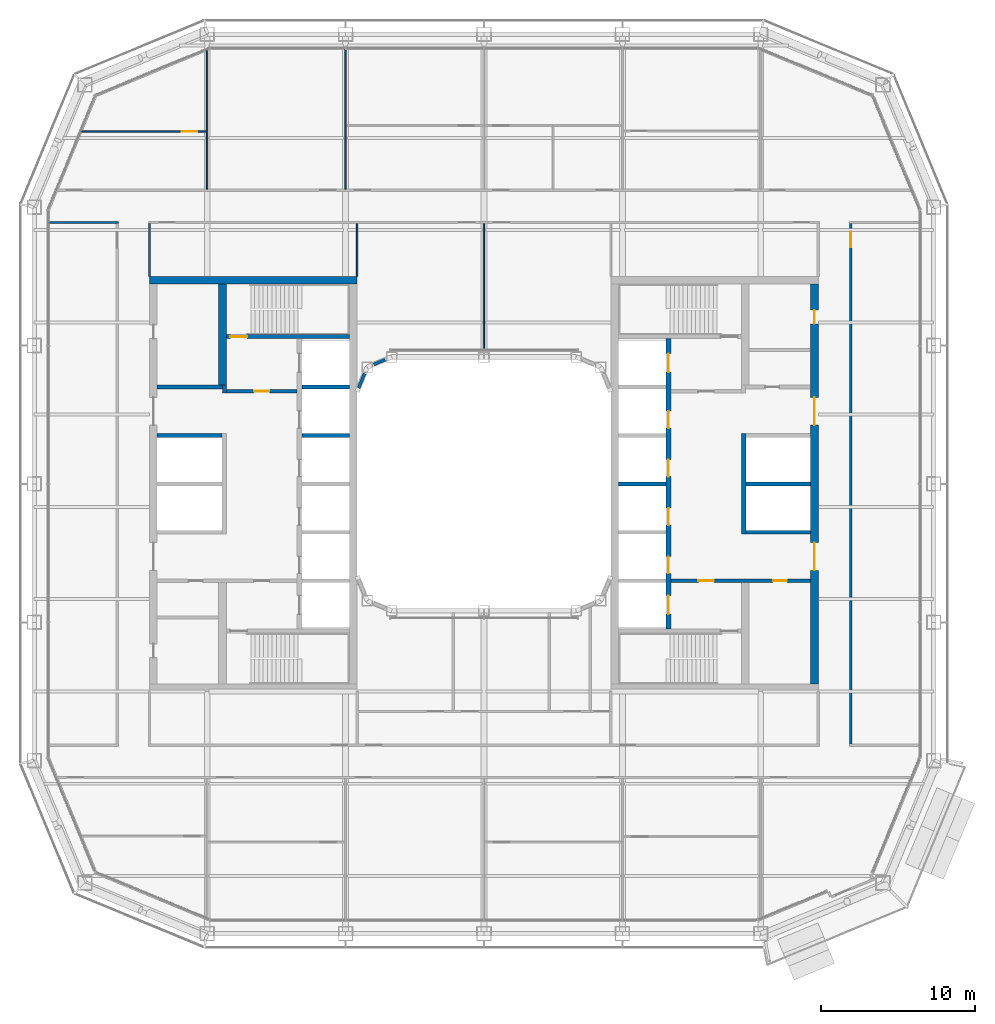
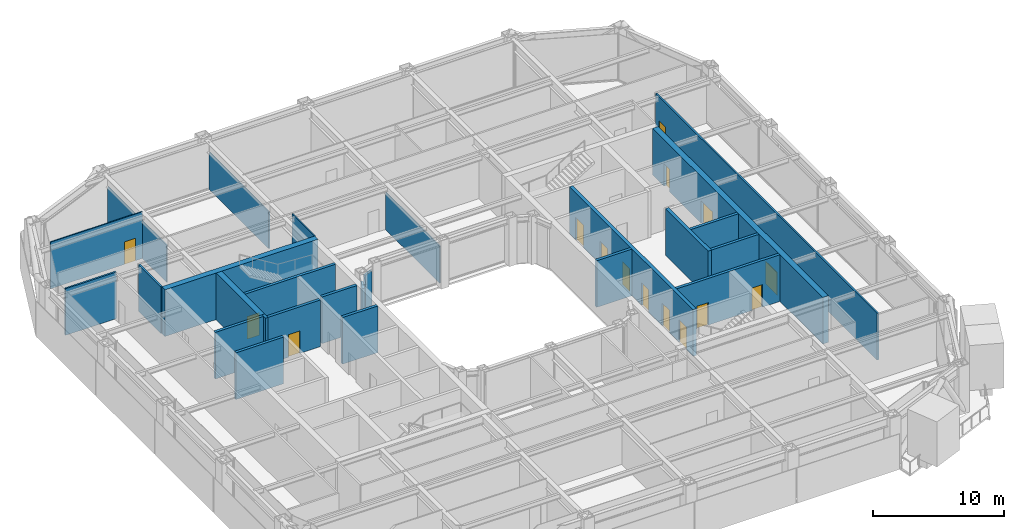
# One storey, part 13 of 23: 26 walls, 15 doors, 15 openings.
"""IFC4 building model written with IfcOpenShell, lengths in metres."""

from ifc_helpers import new_model, si_unit, direction, frame, frame_2d, origin, place, context, subcontext, project, spatial, rectangle, extrude, material, layer, layer_set, type_object, element, fill, save


model = new_model("IFC4")

# Units and contexts
model_context = context("Model", 3, precision=1e-05, world=origin(), true_north=direction((0.0, 1.0)))
body_context = subcontext(model_context, "Body", "Model", "MODEL_VIEW")
ifc_project = project(units=[si_unit("LENGTHUNIT", "METRE"), si_unit("AREAUNIT", "SQUARE_METRE"), si_unit("VOLUMEUNIT", "CUBIC_METRE"), si_unit("PLANEANGLEUNIT", "RADIAN"), si_unit("MASSUNIT", "GRAM", prefix="KILO")], contexts=[model_context])

# Site, building, storey
site_placement = place(None, origin())
site = spatial("IfcSite", under=ifc_project, at=site_placement, CompositionType="ELEMENT")
building_placement = place(site_placement, origin())
building = spatial("IfcBuilding", under=site, at=building_placement, Name="Siwar Civic Tower", CompositionType="ELEMENT")
storey_placement = place(building_placement, frame((0.0, 0.0, 109.199951171875)))
storey = spatial("IfcBuildingStorey", under=building, at=storey_placement, Name="L23", CompositionType="ELEMENT", Elevation=109.199951171875)

# Wall, opening, door
ifc_material_1 = material(Name="Concrete C60/75", Category="concrete")
ifc_layer_1 = layer(ifc_material_1, 0.25)
ifc_layer_set_1 = layer_set([ifc_layer_1], Name="Concrete C60/75")
wall_type_1 = type_object("IfcWallType", Name="CORE-WALL-RC250", PredefinedType="SHEAR", material=ifc_layer_set_1)
wall_1_placement = place(storey_placement, frame((-12.14990234375, 6.02490234375, 0.0), z_axis=(0.0, 0.0, 1.0), x_axis=(-1.0, 0.0, 0.0)))
wall_1 = element("IfcWall", 1, at=wall_1_placement, inside=storey, type_object=wall_type_1, Name="Core wall W", PredefinedType="SHEAR", context=body_context, shape_type="SweptSolid", body=[
    extrude(rectangle(XDim=4.60009765625, YDim=0.25, at=frame_2d((2.300048828125, 0.0))), origin(), (0.0, 0.0, 1.0), 4.35009765625),
])
opening_1_placement = place(wall_1_placement, frame((1.800048828125, 0.0, 0.0)))
opening_1 = element("IfcOpeningElement", 2, at=opening_1_placement, cuts=wall_1, Name="Opening L23-CW01", PredefinedType="OPENING", context=body_context, shape_type="SweptSolid", body=[
    extrude(rectangle(XDim=1.0, YDim=2.10009765625, at=frame_2d((0.5, 1.050048828125))), frame((0.0, 0.135009765625, 0.0), z_axis=(0.0, -1.0, 0.0), x_axis=(1.0, 0.0, 0.0)), (0.0, 0.0, 1.0), 0.27001953125),
])
ifc_material_2 = material(Name="Steel door leaf", Category="steel")
door_type_1 = type_object("IfcDoorType", Name="CORE-DOOR-FD30S", OperationType="SINGLE_SWING_LEFT", PredefinedType="DOOR", material=ifc_material_2)
door_1_placement = place(opening_1_placement, origin())
door_1 = element("IfcDoor", 3, at=door_1_placement, inside=storey, type_object=door_type_1, Name="Firefighting lobby door L23-CW01", OperationType="SINGLE_SWING_LEFT", OverallHeight=2.10009765625, OverallWidth=1.0, PredefinedType="DOOR", context=body_context, shape_type="SweptSolid", body=[
    extrude(rectangle(XDim=1.0, YDim=2.10009765625, at=frame_2d((0.5, 1.050048828125))), frame((0.0, 0.02490234375, 0.0), z_axis=(0.0, -1.0, 0.0), x_axis=(1.0, 0.0, 0.0)), (0.0, 0.0, 1.0), 0.050048828125),
])
fill(opening_1, door_1)

# Walls
wall_2_placement = place(storey_placement, frame((-16.875, 5.89990234375, 0.0), z_axis=(0.0, 0.0, 1.0), x_axis=(0.0, 1.0, 0.0)))
element("IfcWall", 4, at=wall_2_placement, inside=storey, type_object=wall_type_1, Name="Core wall W", PredefinedType="SHEAR", context=body_context, shape_type="SweptSolid", body=[
    extrude(rectangle(XDim=0.525146484375, YDim=0.25, at=frame_2d((0.2626953125, 0.0))), origin(), (0.0, 0.0, 1.0), 4.35009765625),
])
wall_3_placement = place(storey_placement, frame((-17.0, 6.300048828125, 0.0), z_axis=(0.0, 0.0, 1.0), x_axis=(-1.0, 0.0, 0.0)))
element("IfcWall", 5, at=wall_3_placement, inside=storey, type_object=wall_type_1, Name="Core wall W", PredefinedType="SHEAR", context=body_context, shape_type="SweptSolid", body=[
    extrude(rectangle(XDim=4.25, YDim=0.25, at=frame_2d((2.125, 0.0))), origin(), (0.0, 0.0, 1.0), 4.35009765625),
])
wall_4_placement = place(storey_placement, frame((-17.050048828125, 3.14990234375, 0.0), z_axis=(0.0, 0.0, 1.0), x_axis=(-1.0, 0.0, 0.0)))
element("IfcWall", 6, at=wall_4_placement, inside=storey, type_object=wall_type_1, Name="Core wall W", PredefinedType="SHEAR", context=body_context, shape_type="SweptSolid", body=[
    extrude(rectangle(XDim=4.199951171875, YDim=0.25, at=frame_2d((2.10009765625, 0.0))), origin(), (0.0, 0.0, 1.0), 4.35009765625),
])
for number, where, z_axis, x_axis, name in (
    (7, (-8.75, 3.14990234375, 0.0), (0.0, 0.0, 1.0), (-1.0, 0.0, 0.0), "Core wall W"),
    (8, (-8.75, 6.300048828125, 0.0), (0.0, 0.0, 1.0), (-1.0, 0.0, 0.0), "Core wall W"),
):
    element("IfcWall", number, at=place(storey_placement, frame(where, z_axis=z_axis, x_axis=x_axis)), inside=storey, type_object=wall_type_1, Name=name, PredefinedType="SHEAR", context=body_context, shape_type="SweptSolid", body=[
        extrude(rectangle(XDim=3.10009765625, YDim=0.25, at=frame_2d((1.550048828125, 0.0))), origin(), (0.0, 0.0, 1.0), 4.35009765625),
    ])

# Wall, opening, door
wall_5_placement = place(storey_placement, frame((-8.75, 9.574951171875, 0.0), z_axis=(0.0, 0.0, 1.0), x_axis=(-1.0, 0.0, 0.0)))
wall_5 = element("IfcWall", 9, at=wall_5_placement, inside=storey, type_object=wall_type_1, Name="Core wall W", PredefinedType="SHEAR", context=body_context, shape_type="SweptSolid", body=[
    extrude(rectangle(XDim=8.0, YDim=0.25, at=frame_2d((4.0, 0.0))), origin(), (0.0, 0.0, 1.0), 4.35009765625),
])
opening_2_placement = place(wall_5_placement, frame((6.64990234375, 0.0, 0.0)))
opening_2 = element("IfcOpeningElement", 10, at=opening_2_placement, cuts=wall_5, Name="Opening L23-CW03", PredefinedType="OPENING", context=body_context, shape_type="SweptSolid", body=[
    extrude(rectangle(XDim=1.10009765625, YDim=2.10009765625, at=frame_2d((0.550048828125, 1.050048828125))), frame((0.0, 0.135009765625, 0.0), z_axis=(0.0, -1.0, 0.0), x_axis=(1.0, 0.0, 0.0)), (0.0, 0.0, 1.0), 0.27001953125),
])
ifc_material_3 = material(Name="Steel door leaf", Category="steel")
door_type_2 = type_object("IfcDoorType", Name="CORE-DOOR-FD60S", OperationType="SINGLE_SWING_LEFT", PredefinedType="DOOR", material=ifc_material_3)
door_2_placement = place(opening_2_placement, origin())
door_2 = element("IfcDoor", 11, at=door_2_placement, inside=storey, type_object=door_type_2, Name="Stair door L23-CW03", OperationType="SINGLE_SWING_RIGHT", OverallHeight=2.10009765625, OverallWidth=1.10009765625, PredefinedType="DOOR", context=body_context, shape_type="SweptSolid", body=[
    extrude(rectangle(XDim=1.10009765625, YDim=2.10009765625, at=frame_2d((0.550048828125, 1.050048828125))), frame((0.0, 0.02490234375, 0.0), z_axis=(0.0, -1.0, 0.0), x_axis=(1.0, 0.0, 0.0)), (0.0, 0.0, 1.0), 0.050048828125),
])
fill(opening_2, door_2)

# Wall, openings, doors
wall_6_placement = place(storey_placement, frame((12.14990234375, -6.300048828125, 0.0), z_axis=(0.0, 0.0, 1.0), x_axis=(1.0, 0.0, 0.0)))
wall_6 = element("IfcWall", 12, at=wall_6_placement, inside=storey, type_object=wall_type_1, Name="Core wall E", PredefinedType="SHEAR", context=body_context, shape_type="SweptSolid", body=[
    extrude(rectangle(XDim=9.10009765625, YDim=0.25, at=frame_2d((4.550048828125, 0.0))), origin(), (0.0, 0.0, 1.0), 4.35009765625),
])
opening_3_placement = place(wall_6_placement, frame((1.800048828125, 0.0, 0.0)))
opening_3 = element("IfcOpeningElement", 13, at=opening_3_placement, cuts=wall_6, Name="Opening L23-CE02", PredefinedType="OPENING", context=body_context, shape_type="SweptSolid", body=[
    extrude(rectangle(XDim=1.0, YDim=2.10009765625, at=frame_2d((0.5, 1.050048828125))), frame((0.0, 0.135009765625, 0.0), z_axis=(0.0, -1.0, 0.0), x_axis=(1.0, 0.0, 0.0)), (0.0, 0.0, 1.0), 0.27001953125),
])
opening_4_placement = place(wall_6_placement, frame((6.64990234375, 0.0, 0.0)))
opening_4 = element("IfcOpeningElement", 14, at=opening_4_placement, cuts=wall_6, Name="Opening L23-CE15", PredefinedType="OPENING", context=body_context, shape_type="SweptSolid", body=[
    extrude(rectangle(XDim=0.89990234375, YDim=2.10009765625, at=frame_2d((0.449951171875, 1.050048828125))), frame((0.0, 0.135009765625, 0.0), z_axis=(0.0, -1.0, 0.0), x_axis=(1.0, 0.0, 0.0)), (0.0, 0.0, 1.0), 0.27001953125),
])
door_3_placement = place(opening_3_placement, origin())
door_3 = element("IfcDoor", 15, at=door_3_placement, inside=storey, type_object=door_type_1, Name="Service lobby door L23-CE02", OperationType="SINGLE_SWING_LEFT", OverallHeight=2.10009765625, OverallWidth=1.0, PredefinedType="DOOR", context=body_context, shape_type="SweptSolid", body=[
    extrude(rectangle(XDim=1.0, YDim=2.10009765625, at=frame_2d((0.5, 1.050048828125))), frame((0.0, 0.02490234375, 0.0), z_axis=(0.0, -1.0, 0.0), x_axis=(1.0, 0.0, 0.0)), (0.0, 0.0, 1.0), 0.050048828125),
])
fill(opening_3, door_3)
ifc_material_4 = material(Name="Steel door leaf", Category="steel")
door_type_3 = type_object("IfcDoorType", Name="CORE-DOOR-ROOM", OperationType="SINGLE_SWING_LEFT", PredefinedType="DOOR", material=ifc_material_4)
door_4_placement = place(opening_4_placement, origin())
door_4 = element("IfcDoor", 16, at=door_4_placement, inside=storey, type_object=door_type_3, Name="Core room door L23-CE15", OperationType="SINGLE_SWING_LEFT", OverallHeight=2.10009765625, OverallWidth=0.89990234375, PredefinedType="DOOR", context=body_context, shape_type="SweptSolid", body=[
    extrude(rectangle(XDim=0.89990234375, YDim=2.10009765625, at=frame_2d((0.449951171875, 1.050048828125))), frame((0.0, 0.02490234375, 0.0), z_axis=(0.0, -1.0, 0.0), x_axis=(1.0, 0.0, 0.0)), (0.0, 0.0, 1.0), 0.050048828125),
])
fill(opening_4, door_4)

# Walls
for number, where, z_axis, x_axis, name in (
    (17, (17.050048828125, 0.0, 0.0), (0.0, 0.0, 1.0), (1.0, 0.0, 0.0), "Core wall E"),
    (18, (17.050048828125, -3.14990234375, 0.0), (0.0, 0.0, 1.0), (1.0, 0.0, 0.0), "Core wall E"),
):
    element("IfcWall", number, at=place(storey_placement, frame(where, z_axis=z_axis, x_axis=x_axis)), inside=storey, type_object=wall_type_1, Name=name, PredefinedType="SHEAR", context=body_context, shape_type="SweptSolid", body=[
        extrude(rectangle(XDim=4.199951171875, YDim=0.25, at=frame_2d((2.10009765625, 0.0))), origin(), (0.0, 0.0, 1.0), 4.35009765625),
    ])
wall_7_placement = place(storey_placement, frame((8.75, 0.0, 0.0), z_axis=(0.0, 0.0, 1.0), x_axis=(1.0, 0.0, 0.0)))
element("IfcWall", 19, at=wall_7_placement, inside=storey, type_object=wall_type_1, Name="Core wall E", PredefinedType="SHEAR", context=body_context, shape_type="SweptSolid", body=[
    extrude(rectangle(XDim=3.10009765625, YDim=0.25, at=frame_2d((1.550048828125, 0.0))), origin(), (0.0, 0.0, 1.0), 4.35009765625),
])

# Wall, openings, doors
ifc_material_5 = material(Name="Concrete C60/75", Category="concrete")
ifc_layer_2 = layer(ifc_material_5, 0.300048828125)
ifc_layer_set_2 = layer_set([ifc_layer_2], Name="Concrete C60/75")
wall_type_2 = type_object("IfcWallType", Name="CORE-WALL-RC300", PredefinedType="SHEAR", material=ifc_layer_set_2)
wall_8_placement = place(storey_placement, frame((12.0, -9.449951171875, 0.0), z_axis=(0.0, 0.0, 1.0), x_axis=(0.0, 1.0, 0.0)))
wall_8 = element("IfcWall", 20, at=wall_8_placement, inside=storey, type_object=wall_type_2, Name="Core wall E", PredefinedType="SHEAR", context=body_context, shape_type="SweptSolid", body=[
    extrude(rectangle(XDim=18.89990234375, YDim=0.300048828125, at=frame_2d((9.449951171875, 0.0))), origin(), (0.0, 0.0, 1.0), 4.35009765625),
])
opening_5_placement = place(wall_8_placement, frame((3.625, 0.0, 0.0)))
opening_5 = element("IfcOpeningElement", 21, at=opening_5_placement, cuts=wall_8, Name="Opening L23-CE07", PredefinedType="OPENING", context=body_context, shape_type="SweptSolid", body=[
    extrude(rectangle(XDim=1.10009765625, YDim=2.10009765625, at=frame_2d((0.550048828125, 1.050048828125))), frame((0.0, 0.16015625, 0.0), z_axis=(0.0, -1.0, 0.0), x_axis=(1.0, 0.0, 0.0)), (0.0, 0.0, 1.0), 0.320068359375),
])
opening_6_placement = place(wall_8_placement, frame((6.77490234375, 0.0, 0.0)))
opening_6 = element("IfcOpeningElement", 22, at=opening_6_placement, cuts=wall_8, Name="Opening L23-CE08", PredefinedType="OPENING", context=body_context, shape_type="SweptSolid", body=[
    extrude(rectangle(XDim=1.10009765625, YDim=2.10009765625, at=frame_2d((0.550048828125, 1.050048828125))), frame((0.0, 0.16015625, 0.0), z_axis=(0.0, -1.0, 0.0), x_axis=(1.0, 0.0, 0.0)), (0.0, 0.0, 1.0), 0.320068359375),
])
opening_7_placement = place(wall_8_placement, frame((9.925048828125, 0.0, 0.0)))
opening_7 = element("IfcOpeningElement", 23, at=opening_7_placement, cuts=wall_8, Name="Opening L23-CE09", PredefinedType="OPENING", context=body_context, shape_type="SweptSolid", body=[
    extrude(rectangle(XDim=1.10009765625, YDim=2.10009765625, at=frame_2d((0.550048828125, 1.050048828125))), frame((0.0, 0.16015625, 0.0), z_axis=(0.0, -1.0, 0.0), x_axis=(1.0, 0.0, 0.0)), (0.0, 0.0, 1.0), 0.320068359375),
])
opening_8_placement = place(wall_8_placement, frame((13.074951171875, 0.0, 0.0)))
opening_8 = element("IfcOpeningElement", 24, at=opening_8_placement, cuts=wall_8, Name="Opening L23-CE10", PredefinedType="OPENING", context=body_context, shape_type="SweptSolid", body=[
    extrude(rectangle(XDim=1.10009765625, YDim=2.10009765625, at=frame_2d((0.550048828125, 1.050048828125))), frame((0.0, 0.16015625, 0.0), z_axis=(0.0, -1.0, 0.0), x_axis=(1.0, 0.0, 0.0)), (0.0, 0.0, 1.0), 0.320068359375),
])
opening_9_placement = place(wall_8_placement, frame((16.72509765625, 0.0, 0.0)))
opening_9 = element("IfcOpeningElement", 25, at=opening_9_placement, cuts=wall_8, Name="Opening L23-CE11", PredefinedType="OPENING", context=body_context, shape_type="SweptSolid", body=[
    extrude(rectangle(XDim=1.199951171875, YDim=2.10009765625, at=frame_2d((0.60009765625, 1.050048828125))), frame((0.0, 0.16015625, 0.0), z_axis=(0.0, -1.0, 0.0), x_axis=(1.0, 0.0, 0.0)), (0.0, 0.0, 1.0), 0.320068359375),
])
opening_10_placement = place(wall_8_placement, frame((0.97509765625, 0.0, 0.0)))
opening_10 = element("IfcOpeningElement", 26, at=opening_10_placement, cuts=wall_8, Name="Opening L23-CE12", PredefinedType="OPENING", context=body_context, shape_type="SweptSolid", body=[
    extrude(rectangle(XDim=1.199951171875, YDim=2.10009765625, at=frame_2d((0.60009765625, 1.050048828125))), frame((0.0, 0.16015625, 0.0), z_axis=(0.0, -1.0, 0.0), x_axis=(1.0, 0.0, 0.0)), (0.0, 0.0, 1.0), 0.320068359375),
])
ifc_material_6 = material(Name="Steel door leaf", Category="steel")
door_type_4 = type_object("IfcDoorType", Name="CORE-DOOR-LD", OperationType="DOUBLE_DOOR_SLIDING", PredefinedType="DOOR", material=ifc_material_6)
door_5_placement = place(opening_5_placement, origin())
door_5 = element("IfcDoor", 27, at=door_5_placement, inside=storey, type_object=door_type_4, Name="Landing door LR5 L23-CE07", OperationType="DOUBLE_DOOR_SLIDING", OverallHeight=2.10009765625, OverallWidth=1.10009765625, PredefinedType="DOOR", context=body_context, shape_type="SweptSolid", body=[
    extrude(rectangle(XDim=1.10009765625, YDim=2.10009765625, at=frame_2d((0.550048828125, 1.050048828125))), frame((0.0, 0.02490234375, 0.0), z_axis=(0.0, -1.0, 0.0), x_axis=(1.0, 0.0, 0.0)), (0.0, 0.0, 1.0), 0.050048828125),
])
fill(opening_5, door_5)
door_6_placement = place(opening_6_placement, origin())
door_6 = element("IfcDoor", 28, at=door_6_placement, inside=storey, type_object=door_type_4, Name="Landing door LR6 L23-CE08", OperationType="DOUBLE_DOOR_SLIDING", OverallHeight=2.10009765625, OverallWidth=1.10009765625, PredefinedType="DOOR", context=body_context, shape_type="SweptSolid", body=[
    extrude(rectangle(XDim=1.10009765625, YDim=2.10009765625, at=frame_2d((0.550048828125, 1.050048828125))), frame((0.0, 0.02490234375, 0.0), z_axis=(0.0, -1.0, 0.0), x_axis=(1.0, 0.0, 0.0)), (0.0, 0.0, 1.0), 0.050048828125),
])
fill(opening_6, door_6)
door_7_placement = place(opening_7_placement, origin())
door_7 = element("IfcDoor", 29, at=door_7_placement, inside=storey, type_object=door_type_4, Name="Landing door LR7 L23-CE09", OperationType="DOUBLE_DOOR_SLIDING", OverallHeight=2.10009765625, OverallWidth=1.10009765625, PredefinedType="DOOR", context=body_context, shape_type="SweptSolid", body=[
    extrude(rectangle(XDim=1.10009765625, YDim=2.10009765625, at=frame_2d((0.550048828125, 1.050048828125))), frame((0.0, 0.02490234375, 0.0), z_axis=(0.0, -1.0, 0.0), x_axis=(1.0, 0.0, 0.0)), (0.0, 0.0, 1.0), 0.050048828125),
])
fill(opening_7, door_7)
door_8_placement = place(opening_8_placement, origin())
door_8 = element("IfcDoor", 30, at=door_8_placement, inside=storey, type_object=door_type_4, Name="Landing door LR8 L23-CE10", OperationType="DOUBLE_DOOR_SLIDING", OverallHeight=2.10009765625, OverallWidth=1.10009765625, PredefinedType="DOOR", context=body_context, shape_type="SweptSolid", body=[
    extrude(rectangle(XDim=1.10009765625, YDim=2.10009765625, at=frame_2d((0.550048828125, 1.050048828125))), frame((0.0, 0.02490234375, 0.0), z_axis=(0.0, -1.0, 0.0), x_axis=(1.0, 0.0, 0.0)), (0.0, 0.0, 1.0), 0.050048828125),
])
fill(opening_8, door_8)
ifc_material_7 = material(Name="Steel door leaf", Category="steel")
door_type_5 = type_object("IfcDoorType", Name="CORE-DOOR-LDW", OperationType="DOUBLE_DOOR_SLIDING", PredefinedType="DOOR", material=ifc_material_7)
door_9_placement = place(opening_9_placement, origin())
door_9 = element("IfcDoor", 31, at=door_9_placement, inside=storey, type_object=door_type_5, Name="Landing door FF2 L23-CE11", OperationType="DOUBLE_DOOR_SLIDING", OverallHeight=2.10009765625, OverallWidth=1.199951171875, PredefinedType="DOOR", context=body_context, shape_type="SweptSolid", body=[
    extrude(rectangle(XDim=1.199951171875, YDim=2.10009765625, at=frame_2d((0.60009765625, 1.050048828125))), frame((0.0, 0.02490234375, 0.0), z_axis=(0.0, -1.0, 0.0), x_axis=(1.0, 0.0, 0.0)), (0.0, 0.0, 1.0), 0.050048828125),
])
fill(opening_9, door_9)
door_10_placement = place(opening_10_placement, origin())
door_10 = element("IfcDoor", 32, at=door_10_placement, inside=storey, type_object=door_type_5, Name="Landing door SV2 L23-CE12", OperationType="DOUBLE_DOOR_SLIDING", OverallHeight=2.10009765625, OverallWidth=1.199951171875, PredefinedType="DOOR", context=body_context, shape_type="SweptSolid", body=[
    extrude(rectangle(XDim=1.199951171875, YDim=2.10009765625, at=frame_2d((0.60009765625, 1.050048828125))), frame((0.0, 0.02490234375, 0.0), z_axis=(0.0, -1.0, 0.0), x_axis=(1.0, 0.0, 0.0)), (0.0, 0.0, 1.0), 0.050048828125),
])
fill(opening_10, door_10)

# Walls
wall_9_placement = place(storey_placement, frame((16.89990234375, -3.27490234375, 0.0), z_axis=(0.0, 0.0, 1.0), x_axis=(0.0, 1.0, 0.0)))
element("IfcWall", 33, at=wall_9_placement, inside=storey, type_object=wall_type_2, Name="Core wall E", PredefinedType="SHEAR", context=body_context, shape_type="SweptSolid", body=[
    extrude(rectangle(XDim=6.5498046875, YDim=0.300048828125, at=frame_2d((3.27490234375, 0.0))), origin(), (0.0, 0.0, 1.0), 4.35009765625),
])
ifc_material_8 = material(Name="Concrete C60/75", Category="concrete")
ifc_layer_3 = layer(ifc_material_8, 0.5)
ifc_layer_set_3 = layer_set([ifc_layer_3], Name="Concrete C60/75")
wall_type_3 = type_object("IfcWallType", Name="CORE-WALL-RC500", PredefinedType="SHEAR", material=ifc_layer_set_3)
wall_10_placement = place(storey_placement, frame((-17.0, 6.425048828125, 0.0), z_axis=(0.0, 0.0, 1.0), x_axis=(0.0, 1.0, 0.0)))
element("IfcWall", 34, at=wall_10_placement, inside=storey, type_object=wall_type_3, Name="Core wall W", PredefinedType="SHEAR", context=body_context, shape_type="SweptSolid", body=[
    extrude(rectangle(XDim=6.574951171875, YDim=0.5, at=frame_2d((3.28759765625, 0.0))), origin(), (0.0, 0.0, 1.0), 4.35009765625),
])
wall_11_placement = place(storey_placement, frame((-8.25, 13.25, 0.0), z_axis=(0.0, 0.0, 1.0), x_axis=(-1.0, 0.0, 0.0)))
element("IfcWall", 35, at=wall_11_placement, inside=storey, type_object=wall_type_3, Name="Core wall W", PredefinedType="SHEAR", context=body_context, shape_type="SweptSolid", body=[
    extrude(rectangle(XDim=13.5, YDim=0.5, at=frame_2d((6.75, 0.0))), origin(), (0.0, 0.0, 1.0), 4.35009765625),
])

# Wall, openings, doors
wall_12_placement = place(storey_placement, frame((21.5, -13.0, 0.0), z_axis=(0.0, 0.0, 1.0), x_axis=(0.0, 1.0, 0.0)))
wall_12 = element("IfcWall", 36, at=wall_12_placement, inside=storey, type_object=wall_type_3, Name="Core wall E", PredefinedType="SHEAR", context=body_context, shape_type="SweptSolid", body=[
    extrude(rectangle(XDim=26.0, YDim=0.5, at=frame_2d((13.0, 0.0))), origin(), (0.0, 0.0, 1.0), 4.35009765625),
])
opening_11_placement = place(wall_12_placement, frame((16.824951171875, 0.0, 0.0)))
opening_11 = element("IfcOpeningElement", 37, at=opening_11_placement, cuts=wall_12, Name="Opening L23-CE05", PredefinedType="OPENING", context=body_context, shape_type="SweptSolid", body=[
    extrude(rectangle(XDim=1.800048828125, YDim=2.10009765625, at=frame_2d((0.89990234375, 1.050048828125))), frame((0.0, 0.260009765625, 0.0), z_axis=(0.0, -1.0, 0.0), x_axis=(1.0, 0.0, 0.0)), (0.0, 0.0, 1.0), 0.52001953125),
])
opening_12_placement = place(wall_12_placement, frame((7.375, 0.0, 0.0)))
opening_12 = element("IfcOpeningElement", 38, at=opening_12_placement, cuts=wall_12, Name="Opening L23-CE06", PredefinedType="OPENING", context=body_context, shape_type="SweptSolid", body=[
    extrude(rectangle(XDim=1.800048828125, YDim=2.10009765625, at=frame_2d((0.89990234375, 1.050048828125))), frame((0.0, 0.260009765625, 0.0), z_axis=(0.0, -1.0, 0.0), x_axis=(1.0, 0.0, 0.0)), (0.0, 0.0, 1.0), 0.52001953125),
])
opening_13_placement = place(wall_12_placement, frame((23.39990234375, 0.0, 0.0)))
opening_13 = element("IfcOpeningElement", 39, at=opening_13_placement, cuts=wall_12, Name="Opening L23-CE14", PredefinedType="OPENING", context=body_context, shape_type="SweptSolid", body=[
    extrude(rectangle(XDim=0.89990234375, YDim=2.10009765625, at=frame_2d((0.449951171875, 1.050048828125))), frame((0.0, 0.260009765625, 0.0), z_axis=(0.0, -1.0, 0.0), x_axis=(1.0, 0.0, 0.0)), (0.0, 0.0, 1.0), 0.52001953125),
])
ifc_material_9 = material(Name="Steel door leaf", Category="steel")
door_type_6 = type_object("IfcDoorType", Name="CORE-DOOR-PORT", OperationType="DOUBLE_DOOR_DOUBLE_SWING", PredefinedType="DOOR", material=ifc_material_9)
door_11_placement = place(opening_11_placement, origin())
door_11 = element("IfcDoor", 40, at=door_11_placement, inside=storey, type_object=door_type_6, Name="Core entrance door L23-CE05", OperationType="DOUBLE_DOOR_DOUBLE_SWING", OverallHeight=2.10009765625, OverallWidth=1.800048828125, PredefinedType="DOOR", context=body_context, shape_type="SweptSolid", body=[
    extrude(rectangle(XDim=1.800048828125, YDim=2.10009765625, at=frame_2d((0.89990234375, 1.050048828125))), frame((0.0, 0.02490234375, 0.0), z_axis=(0.0, -1.0, 0.0), x_axis=(1.0, 0.0, 0.0)), (0.0, 0.0, 1.0), 0.050048828125),
])
fill(opening_11, door_11)
door_12_placement = place(opening_12_placement, origin())
door_12 = element("IfcDoor", 41, at=door_12_placement, inside=storey, type_object=door_type_6, Name="Core entrance door L23-CE06", OperationType="DOUBLE_DOOR_DOUBLE_SWING", OverallHeight=2.10009765625, OverallWidth=1.800048828125, PredefinedType="DOOR", context=body_context, shape_type="SweptSolid", body=[
    extrude(rectangle(XDim=1.800048828125, YDim=2.10009765625, at=frame_2d((0.89990234375, 1.050048828125))), frame((0.0, 0.02490234375, 0.0), z_axis=(0.0, -1.0, 0.0), x_axis=(1.0, 0.0, 0.0)), (0.0, 0.0, 1.0), 0.050048828125),
])
fill(opening_12, door_12)
door_13_placement = place(opening_13_placement, origin())
door_13 = element("IfcDoor", 42, at=door_13_placement, inside=storey, type_object=door_type_3, Name="Core room door L23-CE14", OperationType="SINGLE_SWING_RIGHT", OverallHeight=2.10009765625, OverallWidth=0.89990234375, PredefinedType="DOOR", context=body_context, shape_type="SweptSolid", body=[
    extrude(rectangle(XDim=0.89990234375, YDim=2.10009765625, at=frame_2d((0.449951171875, 1.050048828125))), frame((0.0, 0.02490234375, 0.0), z_axis=(0.0, -1.0, 0.0), x_axis=(1.0, 0.0, 0.0)), (0.0, 0.0, 1.0), 0.050048828125),
])
fill(opening_13, door_13)

# Walls
ifc_material_10 = material(Name="Gypsum board on steel studs", Category="steel")
ifc_layer_4 = layer(ifc_material_10, 0.14990234375)
ifc_layer_set_4 = layer_set([ifc_layer_4], Name="Gypsum board on steel studs")
wall_type_4 = type_object("IfcWallType", Name="CORRIDOR PARTITION 150 EI 30", PredefinedType="PARTITIONING", material=ifc_layer_set_4)
wall_13_placement = place(storey_placement, frame((-28.260009765625, 17.0, 0.0), z_axis=(0.0, 0.0, 1.0), x_axis=(1.0, 0.0, 0.0)))
element("IfcWall", 43, at=wall_13_placement, inside=storey, type_object=wall_type_4, Name="L23/wall/P11", PredefinedType="PARTITIONING", context=body_context, shape_type="SweptSolid", body=[
    extrude(rectangle(XDim=4.485107421875, YDim=0.14990234375, at=frame_2d((2.24267578125, 0.0))), origin(), (0.0, 0.0, 1.0), 4.35009765625),
])
wall_14_placement = place(storey_placement, frame((-21.75, 13.5, 0.0), z_axis=(0.0, 0.0, 1.0), x_axis=(0.0, 1.0, 0.0)))
element("IfcWall", 44, at=wall_14_placement, inside=storey, type_object=wall_type_4, Name="L23/wall/P20", PredefinedType="PARTITIONING", context=body_context, shape_type="SweptSolid", body=[
    extrude(rectangle(XDim=3.425048828125, YDim=0.14990234375, at=frame_2d((1.71240234375, 0.0))), origin(), (0.0, 0.0, 1.0), 4.35009765625),
])

# Wall, opening, door
wall_15_placement = place(storey_placement, frame((23.85009765625, -16.925048828125, 0.0), z_axis=(0.0, 0.0, 1.0), x_axis=(0.0, 1.0, 0.0)))
wall_15 = element("IfcWall", 45, at=wall_15_placement, inside=storey, type_object=wall_type_4, Name="L23/wall/P44", PredefinedType="PARTITIONING", context=body_context, shape_type="SweptSolid", body=[
    extrude(rectangle(XDim=33.85009765625, YDim=0.14990234375, at=frame_2d((16.925048828125, 0.0))), origin(), (0.0, 0.0, 1.0), 4.35009765625),
])
opening_14_placement = place(wall_15_placement, frame((32.324951171875, 0.0, 0.0)))
opening_14 = element("IfcOpeningElement", 46, at=opening_14_placement, cuts=wall_15, Name="Opening D1", PredefinedType="OPENING", context=body_context, shape_type="SweptSolid", body=[
    extrude(rectangle(XDim=1.0, YDim=2.10009765625, at=frame_2d((0.5, 1.050048828125))), frame((0.0, 0.0849609375, 0.0), z_axis=(0.0, -1.0, 0.0), x_axis=(1.0, 0.0, 0.0)), (0.0, 0.0, 1.0), 0.169921875),
])
ifc_material_11 = material(Name="Timber, painted", Category="wood")
door_type_7 = type_object("IfcDoorType", Name="DOOR 1000 X 2100 FD30", OperationType="SINGLE_SWING_LEFT", PredefinedType="DOOR", material=ifc_material_11)
door_14_placement = place(opening_14_placement, origin())
door_14 = element("IfcDoor", 47, at=door_14_placement, inside=storey, type_object=door_type_7, Name="L23-D34", OperationType="SINGLE_SWING_RIGHT", OverallHeight=2.10009765625, OverallWidth=1.0, PredefinedType="DOOR", context=body_context, shape_type="SweptSolid", body=[
    extrude(rectangle(XDim=1.0, YDim=2.10009765625, at=frame_2d((0.5, 1.050048828125))), frame((0.0, 0.02490234375, 0.0), z_axis=(0.0, -1.0, 0.0), x_axis=(1.0, 0.0, 0.0)), (0.0, 0.0, 1.0), 0.050048828125),
])
fill(opening_14, door_14)

# Walls
ifc_material_12 = material(Name="Aluminium clad insulated panel", Category="aluminium")
ifc_layer_5 = layer(ifc_material_12, 0.199951171875)
ifc_layer_set_5 = layer_set([ifc_layer_5], Name="Aluminium clad insulated panel")
wall_type_5 = type_object("IfcWallType", Name="ENV-WALL-WELL", PredefinedType="STANDARD", material=ifc_layer_set_5)
wall_16_placement = place(storey_placement, frame((-6.422607421875, 8.074951171875, 0.0), z_axis=(0.0, 0.0, 1.0), x_axis=(-0.923817771127, -0.382832503518, 0.0)))
element("IfcWall", 48, at=wall_16_placement, inside=storey, type_object=wall_type_5, Name="Light well corner wall NW1", PredefinedType="STANDARD", context=body_context, shape_type="SweptSolid", body=[
    extrude(rectangle(XDim=0.807373046875, YDim=0.199951171875, at=frame_2d((0.40380859375, 0.0))), origin(), (0.0, 0.0, 1.0), 3.825927734375),
])
wall_17_placement = place(storey_placement, frame((-7.765869140625, 7.16845703125, 0.0), z_axis=(0.0, 0.0, 1.0), x_axis=(-0.382769662028, -0.923843810301, 0.0)))
element("IfcWall", 49, at=wall_17_placement, inside=storey, type_object=wall_type_5, Name="Light well corner wall NW2", PredefinedType="STANDARD", context=body_context, shape_type="SweptSolid", body=[
    extrude(rectangle(XDim=1.014892578125, YDim=0.199951171875, at=frame_2d((0.50732421875, 0.0))), origin(), (0.0, 0.0, 1.0), 3.825927734375),
])

# Wall, opening, door
ifc_material_13 = material(Name="Gypsum board on steel studs", Category="steel")
ifc_layer_6 = layer(ifc_material_13, 0.10009765625)
ifc_layer_set_6 = layer_set([ifc_layer_6], Name="Gypsum board on steel studs")
wall_type_6 = type_object("IfcWallType", Name="PARTITION 100 GYPSUM", PredefinedType="PARTITIONING", material=ifc_layer_set_6)
wall_18_placement = place(storey_placement, frame((-26.14306640625, 22.9130859375, 0.0), z_axis=(0.0, 0.0, 1.0), x_axis=(1.0, 0.0, 0.0)))
wall_18 = element("IfcWall", 50, at=wall_18_placement, inside=storey, type_object=wall_type_6, Name="L23/wall/P15", PredefinedType="PARTITIONING", context=body_context, shape_type="SweptSolid", body=[
    extrude(rectangle(XDim=8.093017578125, YDim=0.10009765625, at=frame_2d((4.04638671875, 0.0))), origin(), (0.0, 0.0, 1.0), 4.35009765625),
])
opening_15_placement = place(wall_18_placement, frame((6.492919921875, 0.0, 0.0)))
opening_15 = element("IfcOpeningElement", 51, at=opening_15_placement, cuts=wall_18, Name="Opening D2", PredefinedType="OPENING", context=body_context, shape_type="SweptSolid", body=[
    extrude(rectangle(XDim=1.0, YDim=2.10009765625, at=frame_2d((0.5, 1.050048828125))), frame((0.0, 0.06005859375, 0.0), z_axis=(0.0, -1.0, 0.0), x_axis=(1.0, 0.0, 0.0)), (0.0, 0.0, 1.0), 0.1201171875),
])
ifc_material_14 = material(Name="Timber, painted", Category="wood")
door_type_8 = type_object("IfcDoorType", Name="DOOR 1000 X 2100", OperationType="SINGLE_SWING_LEFT", PredefinedType="DOOR", material=ifc_material_14)
door_15_placement = place(opening_15_placement, origin())
door_15 = element("IfcDoor", 52, at=door_15_placement, inside=storey, type_object=door_type_8, Name="L23-D17", OperationType="SINGLE_SWING_LEFT", OverallHeight=2.10009765625, OverallWidth=1.0, PredefinedType="DOOR", context=body_context, shape_type="SweptSolid", body=[
    extrude(rectangle(XDim=1.0, YDim=2.10009765625, at=frame_2d((0.5, 1.050048828125))), frame((0.0, 0.02490234375, 0.0), z_axis=(0.0, -1.0, 0.0), x_axis=(1.0, 0.0, 0.0)), (0.0, 0.0, 1.0), 0.050048828125),
])
fill(opening_15, door_15)

# Walls
wall_19_placement = place(storey_placement, frame((-18.0, 19.175048828125, 0.0), z_axis=(0.0, 0.0, 1.0), x_axis=(0.0, 1.0, 0.0)))
element("IfcWall", 53, at=wall_19_placement, inside=storey, type_object=wall_type_6, Name="L23/wall/P22", PredefinedType="PARTITIONING", context=body_context, shape_type="SweptSolid", body=[
    extrude(rectangle(XDim=9.0029296875, YDim=0.10009765625, at=frame_2d((4.50146484375, 0.0))), origin(), (0.0, 0.0, 1.0), 3.449951171875),
])
wall_20_placement = place(storey_placement, frame((-9.0, 19.175048828125, 0.0), z_axis=(0.0, 0.0, 1.0), x_axis=(0.0, 1.0, 0.0)))
element("IfcWall", 54, at=wall_20_placement, inside=storey, type_object=wall_type_6, Name="L23/wall/P24", PredefinedType="PARTITIONING", context=body_context, shape_type="SweptSolid", body=[
    extrude(rectangle(XDim=9.0849609375, YDim=0.10009765625, at=frame_2d((4.54248046875, 0.0))), origin(), (0.0, 0.0, 1.0), 3.449951171875),
])
wall_21_placement = place(storey_placement, frame((-8.25, 13.5, 0.0), z_axis=(0.0, 0.0, 1.0), x_axis=(0.0, 1.0, 0.0)))
element("IfcWall", 55, at=wall_21_placement, inside=storey, type_object=wall_type_6, Name="L23/wall/P25", PredefinedType="PARTITIONING", context=body_context, shape_type="SweptSolid", body=[
    extrude(rectangle(XDim=3.425048828125, YDim=0.10009765625, at=frame_2d((1.71240234375, 0.0))), origin(), (0.0, 0.0, 1.0), 4.35009765625),
])
wall_22_placement = place(storey_placement, frame((0.0, 8.64990234375, 0.0), z_axis=(0.0, 0.0, 1.0), x_axis=(0.0, 1.0, 0.0)))
element("IfcWall", 56, at=wall_22_placement, inside=storey, type_object=wall_type_6, Name="L23/wall/P29", PredefinedType="PARTITIONING", context=body_context, shape_type="SweptSolid", body=[
    extrude(rectangle(XDim=8.275146484375, YDim=0.10009765625, at=frame_2d((4.1376953125, 0.0))), origin(), (0.0, 0.0, 1.0), 3.449951171875),
])

save(model, "model.ifc")
